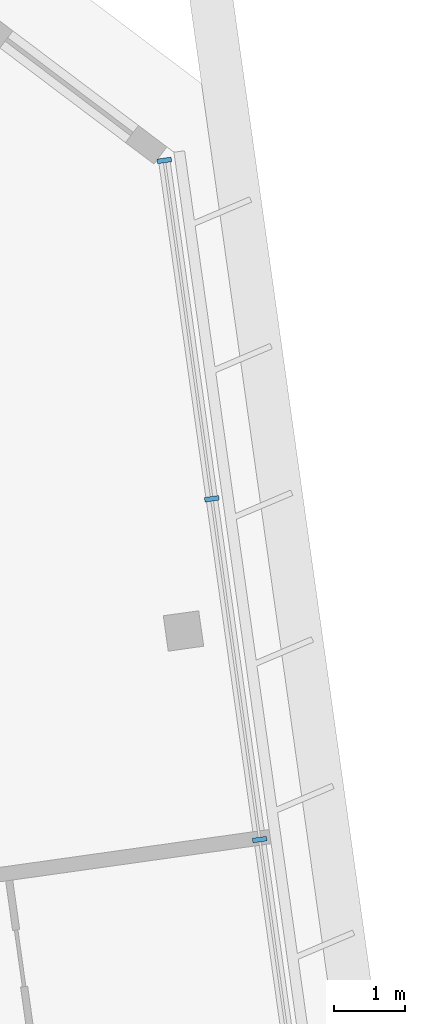
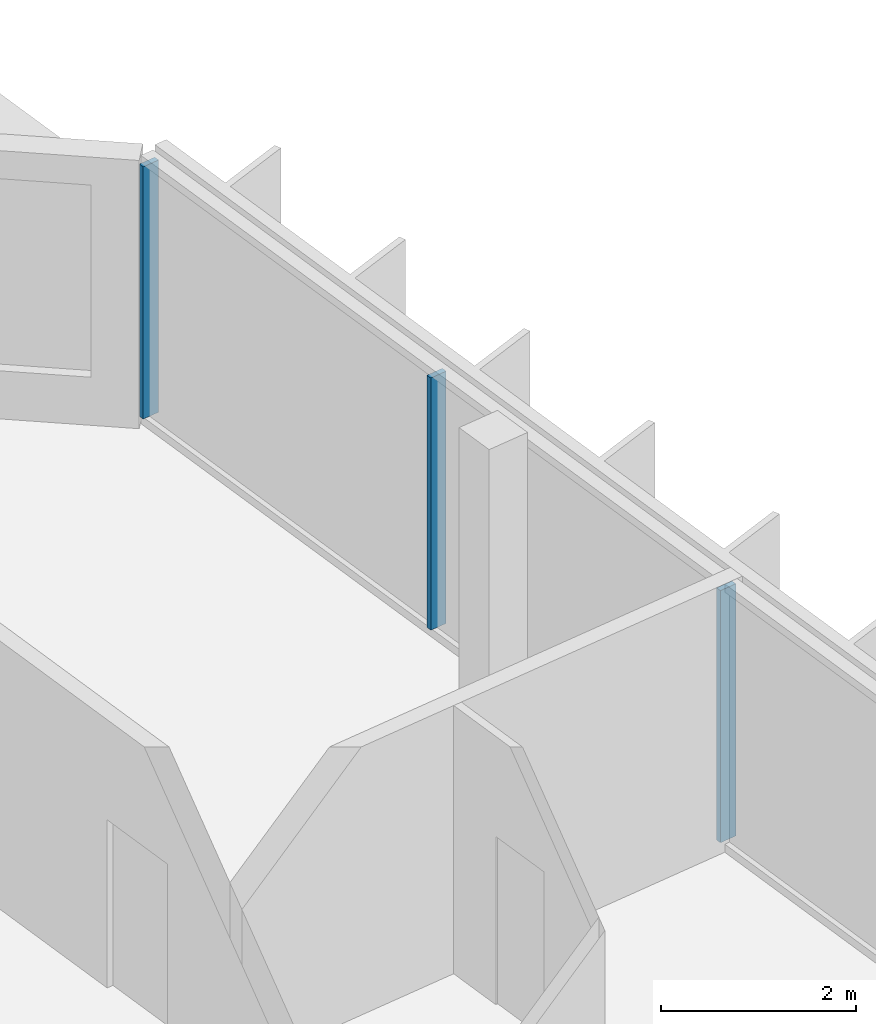
# One storey, part 12 of 25: 3 members, 1 element without a shape of its own.
"""IFC4 building model written with IfcOpenShell, lengths in metres."""

from ifc_helpers import new_model, si_unit, direction, frame, origin, origin_2d, place, context, subcontext, project, spatial, rectangle, extrude, material, material_profile, profile_set, type_object, element, aggregate, save


model = new_model("IFC4")

# Units and contexts
model_context = context("Model", 3, precision=1e-05, world=origin(), true_north=direction((0.0, 1.0)))
body_context = subcontext(model_context, "Body", "Model", "MODEL_VIEW")
ifc_project = project(units=[si_unit("LENGTHUNIT", "METRE"), si_unit("AREAUNIT", "SQUARE_METRE"), si_unit("VOLUMEUNIT", "CUBIC_METRE"), si_unit("PLANEANGLEUNIT", "RADIAN"), si_unit("MASSUNIT", "GRAM", prefix="KILO")], contexts=[model_context])

# Site, building, storey
site_placement = place(None, origin())
site = spatial("IfcSite", under=ifc_project, at=site_placement, CompositionType="ELEMENT")
building_placement = place(site_placement, origin())
building = spatial("IfcBuilding", under=site, at=building_placement, Name="Mirante Cascada Hotel Towers", CompositionType="ELEMENT")
storey_placement = place(building_placement, frame((0.0, 0.0, 247.0)))
storey = spatial("IfcBuildingStorey", under=building, at=storey_placement, Name="L59", CompositionType="ELEMENT", Elevation=247.0)

# Curtain wall, members
ifc_material_1 = material(Name="Aluminium mullion and transom frame with clear laminated glass", Category="aluminium")
curtain_wall_type = type_object("IfcCurtainWallType", Name="End ribbon curtain wall ECW2", PredefinedType="NOTDEFINED", material=ifc_material_1)
curtain_wall_placement = place(storey_placement, origin())
curtain_wall = element("IfcCurtainWall", 1, at=curtain_wall_placement, inside=storey, type_object=curtain_wall_type, Name="Outer end wall T2 L59", PredefinedType="NOTDEFINED")
ifc_material_2 = material(Name="Anodised aluminium extrusion", Category="aluminium")
ifc_material_profile = material_profile(ifc_material_2, rectangle(XDim=0.2, YDim=0.065, at=origin_2d()), Name="ECW2 MULLION 65x200")
ifc_profile_set = profile_set([ifc_material_profile], Name="Anodised aluminium extrusion")
member_type = type_object("IfcMemberType", Name="ECW2 mullion 65x200", PredefinedType="MULLION", material=ifc_profile_set)
member_1_placement = place(storey_placement, frame((64.8313, 7.7551, 0.1), z_axis=(0.0, 0.0, 1.0), x_axis=(-0.9902681, -0.1391731, 0.0)))
member_1 = element("IfcMember", 2, at=member_1_placement, type_object=member_type, Name="ECW2 mullion 5", PredefinedType="MULLION", context=body_context, shape_type="SweptSolid", body=[
    extrude(rectangle(XDim=0.2, YDim=0.065, at=origin_2d()), origin(), (0.0, 0.0, 1.0), 3.15),
])
member_2_placement = place(storey_placement, frame((64.1615, 12.5209, 0.1), z_axis=(0.0, 0.0, 1.0), x_axis=(-0.9902681, -0.1391731, 0.0)))
member_2 = element("IfcMember", 3, at=member_2_placement, type_object=member_type, Name="ECW2 mullion 6", PredefinedType="MULLION", context=body_context, shape_type="SweptSolid", body=[
    extrude(rectangle(XDim=0.2, YDim=0.065, at=origin_2d()), origin(), (0.0, 0.0, 1.0), 3.15),
])
member_3_placement = place(storey_placement, frame((63.4963, 17.2545, 0.1), z_axis=(0.0, 0.0, 1.0), x_axis=(-0.9902681, -0.1391731, 0.0)))
member_3 = element("IfcMember", 4, at=member_3_placement, type_object=member_type, Name="ECW2 mullion 7", PredefinedType="MULLION", context=body_context, shape_type="SweptSolid", body=[
    extrude(rectangle(XDim=0.2, YDim=0.065, at=origin_2d()), origin(), (0.0, 0.0, 1.0), 3.15),
])
aggregate(curtain_wall, [member_1, member_2, member_3])

save(model, "model.ifc")
